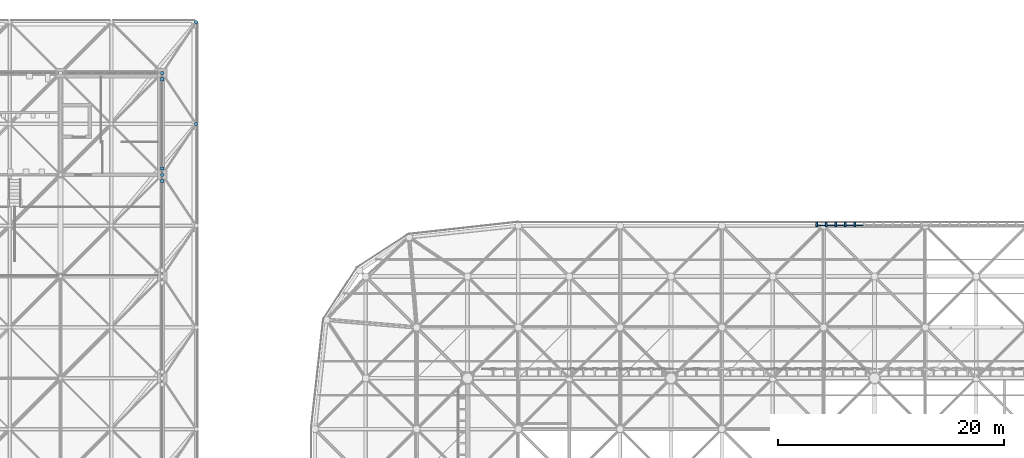
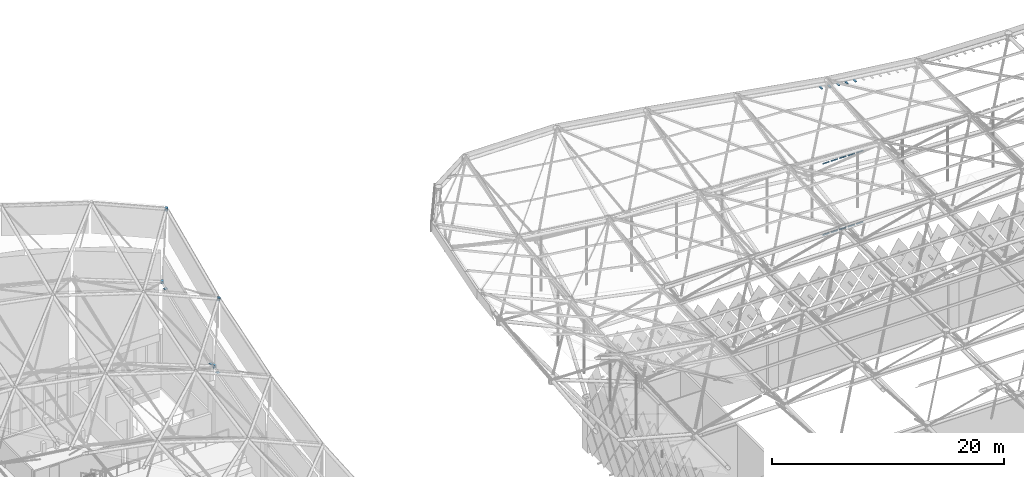
# One storey, part 385 of 437: 22 discrete accessories.
"""IFC4 building model written with IfcOpenShell, lengths in metres."""

from ifc_helpers import new_model, si_unit, direction, frame, origin, origin_2d, place, context, subcontext, project, spatial, polyline, rectangle, hollow_rectangle, outline, extrude, material, layer, layer_set, material_profile, profile_set, type_object, element, save


model = new_model("IFC4")

# Units and contexts
model_context = context("Model", 3, precision=1e-05, world=origin(), true_north=direction((0.0, 1.0)))
body_context = subcontext(model_context, "Body", "Model", "MODEL_VIEW")
ifc_project = project(units=[si_unit("LENGTHUNIT", "METRE"), si_unit("AREAUNIT", "SQUARE_METRE"), si_unit("VOLUMEUNIT", "CUBIC_METRE"), si_unit("PLANEANGLEUNIT", "RADIAN"), si_unit("MASSUNIT", "GRAM", prefix="KILO")], contexts=[model_context])

# Site, building, storey
site_placement = place(None, origin())
site = spatial("IfcSite", under=ifc_project, at=site_placement, CompositionType="ELEMENT")
building_placement = place(site_placement, origin())
building = spatial("IfcBuilding", under=site, at=building_placement, Name="Opaline Strait Convention Centre", CompositionType="ELEMENT")
storey_placement = place(building_placement, frame((0.0, 0.0, 11.5)))
storey = spatial("IfcBuildingStorey", under=building, at=storey_placement, Name="L02", CompositionType="ELEMENT", Elevation=11.5)

# Discrete accessories
ifc_material_1 = material(Name="Steel Q355B", Category="steel")
discrete_accessory_type_1 = type_object("IfcDiscreteAccessoryType", Name="Blade head bracket 160x400x80", PredefinedType="BRACKET", material=ifc_material_1)
for number, where, z_axis, x_axis, name in (
    (1, (129.89990234375, 166.60009765625, 18.941650390625), (0.0, 0.0, 1.0), (1.0, 0.0, 0.0), "Blade head bracket W01"),
    (2, (130.739990234375, 166.60009765625, 18.810791015625), (0.0, 0.0, 1.0), (1.0, 0.0, 0.0), "Blade head bracket W02"),
    (3, (131.580078125, 166.60009765625, 18.709228515625), (0.0, 0.0, 1.0), (1.0, 0.0, 0.0), "Blade head bracket W03"),
    (4, (132.419921875, 166.60009765625, 18.60791015625), (0.0, 0.0, 1.0), (1.0, 0.0, 0.0), "Blade head bracket W04"),
    (5, (133.260009765625, 166.60009765625, 18.50634765625), (0.0, 0.0, 1.0), (1.0, 0.0, 0.0), "Blade head bracket W05"),
):
    element("IfcDiscreteAccessory", number, at=place(storey_placement, frame(where, z_axis=z_axis, x_axis=x_axis)), inside=storey, type_object=discrete_accessory_type_1, Name=name, PredefinedType="BRACKET", context=body_context, shape_type="SweptSolid", body=[
        extrude(rectangle(XDim=0.159912109375, YDim=0.39990234375, at=origin_2d()), origin(), (0.0, 0.0, 1.0), 0.080078125),
    ])
ifc_material_profile = material_profile(ifc_material_1, hollow_rectangle(XDim=0.10009765625, YDim=0.10009765625, WallThickness=0.006103515625, at=origin_2d()), Name="RHS 100x100x6")
ifc_profile_set = profile_set([ifc_material_profile], Name="Steel Q355B")
discrete_accessory_type_2 = type_object("IfcDiscreteAccessoryType", Name="Blade rail RHS 100x100x6", PredefinedType="BRACKET", material=ifc_profile_set)
for number, where, z_axis, x_axis, name in (
    (6, (129.97998046875, 166.5, 3.5), (1.0, 0.0, 0.0), (0.0, 1.0, 0.0), "Blade rail 2 W"),
    (7, (130.820068359375, 166.5, 3.5), (1.0, 0.0, 0.0), (0.0, 1.0, 0.0), "Blade rail 2 W"),
):
    element("IfcDiscreteAccessory", number, at=place(storey_placement, frame(where, z_axis=z_axis, x_axis=x_axis)), inside=storey, type_object=discrete_accessory_type_2, Name=name, PredefinedType="BRACKET", context=body_context, shape_type="SweptSolid", body=[
        extrude(hollow_rectangle(XDim=0.10009765625, YDim=0.10009765625, WallThickness=0.006103515625, at=origin_2d()), origin(), (0.0, 0.0, 1.0), 0.679931640625),
    ])
discrete_accessory_1_placement = place(storey_placement, frame((131.659912109375, 166.5, 3.5), z_axis=(1.0, 0.0, 0.0), x_axis=(0.0, 1.0, 0.0)))
element("IfcDiscreteAccessory", 8, at=discrete_accessory_1_placement, inside=storey, type_object=discrete_accessory_type_2, Name="Blade rail 2 W", PredefinedType="BRACKET", context=body_context, shape_type="SweptSolid", body=[
    extrude(hollow_rectangle(XDim=0.10009765625, YDim=0.10009765625, WallThickness=0.006103515625, at=origin_2d()), origin(), (0.0, 0.0, 1.0), 0.68017578125),
])
for number, where, z_axis, x_axis, name in (
    (9, (132.5, 166.5, 3.5), (1.0, 0.0, 0.0), (0.0, 1.0, 0.0), "Blade rail 2 W"),
    (10, (133.340087890625, 166.5, 3.5), (1.0, 0.0, 0.0), (0.0, 1.0, 0.0), "Blade rail 2 W"),
    (11, (129.97998046875, 166.5, 11.0), (1.0, 0.0, 0.0), (0.0, 1.0, 0.0), "Blade rail 3 W"),
    (12, (130.820068359375, 166.5, 11.0), (1.0, 0.0, 0.0), (0.0, 1.0, 0.0), "Blade rail 3 W"),
):
    element("IfcDiscreteAccessory", number, at=place(storey_placement, frame(where, z_axis=z_axis, x_axis=x_axis)), inside=storey, type_object=discrete_accessory_type_2, Name=name, PredefinedType="BRACKET", context=body_context, shape_type="SweptSolid", body=[
        extrude(hollow_rectangle(XDim=0.10009765625, YDim=0.10009765625, WallThickness=0.006103515625, at=origin_2d()), origin(), (0.0, 0.0, 1.0), 0.679931640625),
    ])
discrete_accessory_2_placement = place(storey_placement, frame((131.659912109375, 166.5, 11.0), z_axis=(1.0, 0.0, 0.0), x_axis=(0.0, 1.0, 0.0)))
element("IfcDiscreteAccessory", 13, at=discrete_accessory_2_placement, inside=storey, type_object=discrete_accessory_type_2, Name="Blade rail 3 W", PredefinedType="BRACKET", context=body_context, shape_type="SweptSolid", body=[
    extrude(hollow_rectangle(XDim=0.10009765625, YDim=0.10009765625, WallThickness=0.006103515625, at=origin_2d()), origin(), (0.0, 0.0, 1.0), 0.68017578125),
])
for number, where, z_axis, x_axis, name in (
    (14, (132.5, 166.5, 11.0), (1.0, 0.0, 0.0), (0.0, 1.0, 0.0), "Blade rail 3 W"),
    (15, (133.340087890625, 166.5, 11.0), (1.0, 0.0, 0.0), (0.0, 1.0, 0.0), "Blade rail 3 W"),
):
    element("IfcDiscreteAccessory", number, at=place(storey_placement, frame(where, z_axis=z_axis, x_axis=x_axis)), inside=storey, type_object=discrete_accessory_type_2, Name=name, PredefinedType="BRACKET", context=body_context, shape_type="SweptSolid", body=[
        extrude(hollow_rectangle(XDim=0.10009765625, YDim=0.10009765625, WallThickness=0.006103515625, at=origin_2d()), origin(), (0.0, 0.0, 1.0), 0.679931640625),
    ])
ifc_layer = layer(ifc_material_1, 0.02001953125)
ifc_layer_set = layer_set([ifc_layer], Name="Steel Q355B")
discrete_accessory_type_3 = type_object("IfcDiscreteAccessoryType", Name="Cast-in anchor plate 300 x 300 x 20", PredefinedType="ANCHORPLATE", material=ifc_layer_set)
for number, where, z_axis, x_axis, name in (
    (16, (72.0, 170.4501953125, 6.935546875), (0.0, 0.0, 1.0), (1.0, 0.0, 0.0), "Cast-in anchor plate at PWB1 web 8-7ac"),
    (17, (72.0, 171.5498046875, 7.180419921875), (0.0, 0.0, 1.0), (1.0, 0.0, 0.0), "Cast-in anchor plate at PWB1 web 8-7ad"),
    (18, (72.0, 179.4501953125, 10.3134765625), (0.0, 0.0, 1.0), (1.0, 0.0, 0.0), "Cast-in anchor plate at PWB1 web 8-8ac"),
):
    element("IfcDiscreteAccessory", number, at=place(storey_placement, frame(where, z_axis=z_axis, x_axis=x_axis)), inside=storey, type_object=discrete_accessory_type_3, Name=name, PredefinedType="ANCHORPLATE", context=body_context, shape_type="SweptSolid", body=[
        extrude(rectangle(XDim=0.300048828125, YDim=0.300048828125, at=origin_2d()), origin(), (0.0, 0.0, 1.0), 0.02001953125),
    ])
ifc_material_2 = material(Name="Cast steel ZG300-500H (300 MPa)", Category="steel")
discrete_accessory_type_4 = type_object("IfcDiscreteAccessoryType", Name="Shell node hub D300 cast steel", PredefinedType="USERDEFINED", material=ifc_material_2)
discrete_accessory_3_placement = place(storey_placement, frame((0.0, 0.0, 7.111328125)))
element("IfcDiscreteAccessory", 19, at=discrete_accessory_3_placement, inside=storey, type_object=discrete_accessory_type_4, Name="PNH1 node hub B8-7", ObjectType="NODE HUB", PredefinedType="USERDEFINED", context=body_context, shape_type="SweptSolid", body=[
    extrude(outline(polyline([(72.14990234375, 171.02978515625), (72.127197265625, 171.0849609375), (72.0849609375, 171.127197265625), (72.02978515625, 171.14990234375), (71.97021484375, 171.14990234375), (71.9150390625, 171.127197265625), (71.872802734375, 171.0849609375), (71.85009765625, 171.02978515625), (71.85009765625, 170.97021484375), (71.872802734375, 170.9150390625), (71.9150390625, 170.872802734375), (71.97021484375, 170.85009765625), (72.02978515625, 170.85009765625), (72.0849609375, 170.872802734375), (72.127197265625, 170.9150390625), (72.14990234375, 170.97021484375), (72.14990234375, 171.02978515625)])), origin(), (0.0, 0.0, 1.0), 0.31005859375),
])
discrete_accessory_4_placement = place(storey_placement, frame((0.0, 0.0, 10.5400390625)))
element("IfcDiscreteAccessory", 20, at=discrete_accessory_4_placement, inside=storey, type_object=discrete_accessory_type_4, Name="PNH1 node hub B8-8", ObjectType="NODE HUB", PredefinedType="USERDEFINED", context=body_context, shape_type="SweptSolid", body=[
    extrude(outline(polyline([(72.14990234375, 180.02978515625), (72.127197265625, 180.0849609375), (72.0849609375, 180.127197265625), (72.02978515625, 180.14990234375), (71.97021484375, 180.14990234375), (71.9150390625, 180.127197265625), (71.872802734375, 180.0849609375), (71.85009765625, 180.02978515625), (71.85009765625, 179.97021484375), (71.872802734375, 179.9150390625), (71.9150390625, 179.872802734375), (71.97021484375, 179.85009765625), (72.02978515625, 179.85009765625), (72.0849609375, 179.872802734375), (72.127197265625, 179.9150390625), (72.14990234375, 179.97021484375), (72.14990234375, 180.02978515625)])), origin(), (0.0, 0.0, 1.0), 0.31005859375),
])
discrete_accessory_5_placement = place(storey_placement, frame((0.0, 0.0, 10.43603515625)))
element("IfcDiscreteAccessory", 21, at=discrete_accessory_5_placement, inside=storey, type_object=discrete_accessory_type_4, Name="PNH1 node hub T9-8", ObjectType="NODE HUB", PredefinedType="USERDEFINED", context=body_context, shape_type="SweptSolid", body=[
    extrude(outline(polyline([(75.14990234375, 175.52978515625), (75.127197265625, 175.5849609375), (75.0849609375, 175.627197265625), (75.02978515625, 175.64990234375), (74.97021484375, 175.64990234375), (74.9150390625, 175.627197265625), (74.872802734375, 175.5849609375), (74.85009765625, 175.52978515625), (74.85009765625, 175.47021484375), (74.872802734375, 175.4150390625), (74.9150390625, 175.372802734375), (74.97021484375, 175.35009765625), (75.02978515625, 175.35009765625), (75.0849609375, 175.372802734375), (75.127197265625, 175.4150390625), (75.14990234375, 175.47021484375), (75.14990234375, 175.52978515625)])), origin(), (0.0, 0.0, 1.0), 0.31005859375),
])
discrete_accessory_6_placement = place(storey_placement, frame((0.0, 0.0, 14.43603515625)))
element("IfcDiscreteAccessory", 22, at=discrete_accessory_6_placement, inside=storey, type_object=discrete_accessory_type_4, Name="PNH1 node hub T9-9", ObjectType="NODE HUB", PredefinedType="USERDEFINED", context=body_context, shape_type="SweptSolid", body=[
    extrude(outline(polyline([(75.14990234375, 184.52978515625), (75.127197265625, 184.5849609375), (75.0849609375, 184.627197265625), (75.02978515625, 184.64990234375), (74.97021484375, 184.64990234375), (74.9150390625, 184.627197265625), (74.872802734375, 184.5849609375), (74.85009765625, 184.52978515625), (74.85009765625, 184.47021484375), (74.872802734375, 184.4150390625), (74.9150390625, 184.372802734375), (74.97021484375, 184.35009765625), (75.02978515625, 184.35009765625), (75.0849609375, 184.372802734375), (75.127197265625, 184.4150390625), (75.14990234375, 184.47021484375), (75.14990234375, 184.52978515625)])), origin(), (0.0, 0.0, 1.0), 0.31005859375),
])

save(model, "model.ifc")
